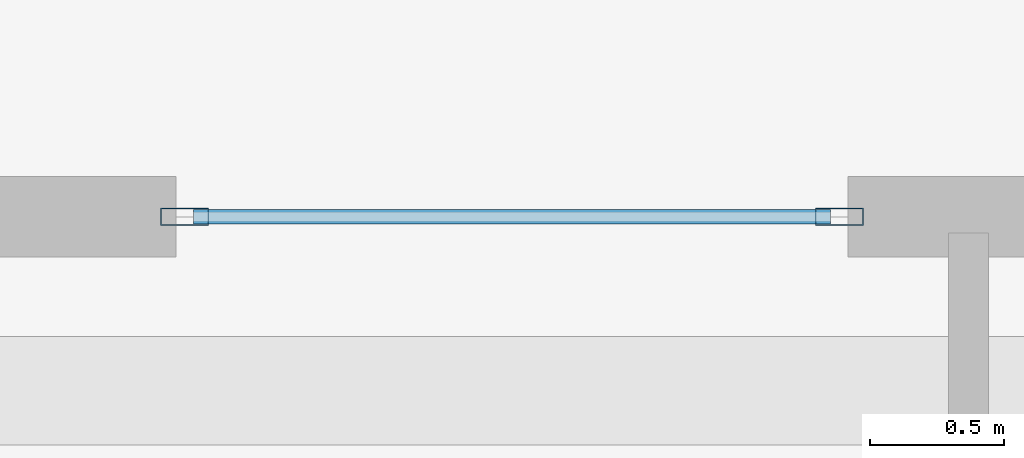
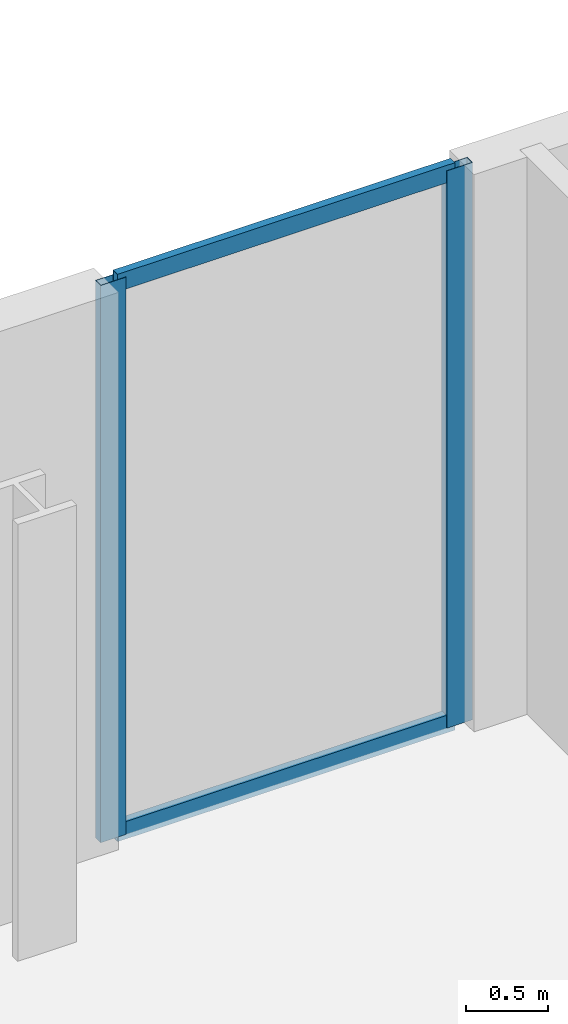
# One storey, part 14 of 24: 4 members, 1 element without a shape of its own.
"""IFC4 building model written with IfcOpenShell, lengths in metres."""

from ifc_helpers import new_model, si_unit, direction, frame, origin, origin_2d, place, context, subcontext, project, spatial, hollow_rectangle, extrude, material, layer, layer_set, material_profile, profile_set, type_object, element, aggregate, save


model = new_model("IFC4")

# Units and contexts
model_context = context("Model", 3, precision=1e-05, world=origin(), true_north=direction((0.0, 1.0)))
body_context = subcontext(model_context, "Body", "Model", "MODEL_VIEW")
ifc_project = project(units=[si_unit("LENGTHUNIT", "METRE"), si_unit("AREAUNIT", "SQUARE_METRE"), si_unit("VOLUMEUNIT", "CUBIC_METRE"), si_unit("PLANEANGLEUNIT", "RADIAN"), si_unit("MASSUNIT", "GRAM", prefix="KILO")], contexts=[model_context])

# Site, building, storey
site_placement = place(None, origin())
site = spatial("IfcSite", under=ifc_project, at=site_placement, CompositionType="ELEMENT")
building_placement = place(site_placement, origin())
building = spatial("IfcBuilding", under=site, at=building_placement, Name="Zuhayl Quay Hotel", CompositionType="ELEMENT")
storey_placement = place(building_placement, frame((0.0, 0.0, 292.85009765625)))
storey = spatial("IfcBuildingStorey", under=building, at=storey_placement, Name="L74", CompositionType="ELEMENT", Elevation=292.85009765625)

# Curtain wall, members
ifc_material_1 = material(Name="Anodised Aluminium 6063-T6", Category="aluminium")
ifc_layer = layer(ifc_material_1, 0.169921875, Name="Anodised Aluminium 6063-T6", Category="aluminium")
ifc_layer_set = layer_set([ifc_layer], Name="Anodised Aluminium 6063-T6")
curtain_wall_type = type_object("IfcCurtainWallType", Name="CW_SYS_Z4", PredefinedType="USERDEFINED", material=ifc_layer_set)
curtain_wall_placement = place(storey_placement, origin())
curtain_wall = element("IfcCurtainWall", 1, at=curtain_wall_placement, inside=storey, type_object=curtain_wall_type, Name="L74 Curtain Wall ENV_L74_N_CW2", ObjectType="UNITISED CURTAIN WALL", PredefinedType="USERDEFINED")
ifc_material_2 = material(Name="Black-anodised aluminium 6063-T6", Category="aluminium")
ifc_material_profile_1 = material_profile(ifc_material_2, hollow_rectangle(XDim=0.06494140625, YDim=0.179931640625, WallThickness=0.00341796875, at=origin_2d()), Name="ALU180X65")
ifc_profile_set_1 = profile_set([ifc_material_profile_1], Name="Black-anodised aluminium 6063-T6")
member_type_1 = type_object("IfcMemberType", Name="MB_CW_MUL_180", PredefinedType="MULLION", material=ifc_profile_set_1)
member_1_placement = place(storey_placement, frame((0.952392578125, 39.0, 0.0), z_axis=(0.0, 0.0, 1.0), x_axis=(0.0, 1.0, 0.0)))
member_1 = element("IfcMember", 2, at=member_1_placement, type_object=member_type_1, Name="CW-Z4 mullion 1", PredefinedType="MULLION", context=body_context, shape_type="SweptSolid", body=[
    extrude(hollow_rectangle(XDim=0.06494140625, YDim=0.179931640625, WallThickness=0.00341796875, at=origin_2d()), origin(), (0.0, 0.0, 1.0), 4.159912109375),
])
member_2_placement = place(storey_placement, frame((3.3974609375, 39.0, 0.0), z_axis=(0.0, 0.0, 1.0), x_axis=(0.0, 1.0, 0.0)))
member_2 = element("IfcMember", 3, at=member_2_placement, type_object=member_type_1, Name="CW-Z4 mullion 2", PredefinedType="MULLION", context=body_context, shape_type="SweptSolid", body=[
    extrude(hollow_rectangle(XDim=0.06494140625, YDim=0.179931640625, WallThickness=0.00341796875, at=origin_2d()), origin(), (0.0, 0.0, 1.0), 4.159912109375),
])
ifc_material_profile_2 = material_profile(ifc_material_2, hollow_rectangle(XDim=0.054931640625, YDim=0.1298828125, WallThickness=0.0029296875, at=origin_2d()), Name="ALU130X55")
ifc_profile_set_2 = profile_set([ifc_material_profile_2], Name="Black-anodised aluminium 6063-T6")
member_type_2 = type_object("IfcMemberType", Name="MB_CW_TRN_130", PredefinedType="USERDEFINED", material=ifc_profile_set_2)
member_3_placement = place(storey_placement, frame((0.985107421875, 39.0, 0.02734375), z_axis=(1.0, 0.0, 0.0), x_axis=(0.0, 1.0, 0.0)))
member_3 = element("IfcMember", 4, at=member_3_placement, type_object=member_type_2, Name="CW-Z4 transom 1.1", ObjectType="TRANSOM", PredefinedType="USERDEFINED", context=body_context, shape_type="SweptSolid", body=[
    extrude(hollow_rectangle(XDim=0.054931640625, YDim=0.1298828125, WallThickness=0.0029296875, at=origin_2d()), origin(), (0.0, 0.0, 1.0), 2.3798828125),
])
member_4_placement = place(storey_placement, frame((0.985107421875, 39.0, 4.13232421875), z_axis=(1.0, 0.0, 0.0), x_axis=(0.0, 1.0, 0.0)))
member_4 = element("IfcMember", 5, at=member_4_placement, type_object=member_type_2, Name="CW-Z4 transom 1.2", ObjectType="TRANSOM", PredefinedType="USERDEFINED", context=body_context, shape_type="SweptSolid", body=[
    extrude(hollow_rectangle(XDim=0.054931640625, YDim=0.1298828125, WallThickness=0.0029296875, at=origin_2d()), origin(), (0.0, 0.0, 1.0), 2.3798828125),
])
aggregate(curtain_wall, [member_1, member_2, member_3, member_4])

save(model, "model.ifc")
